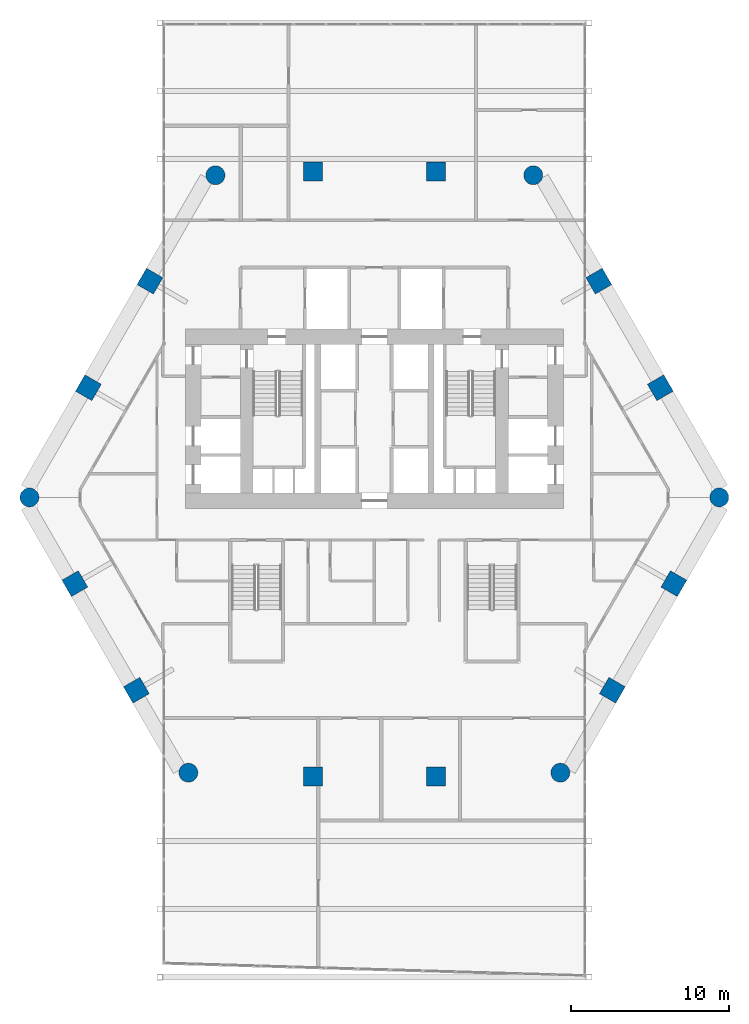
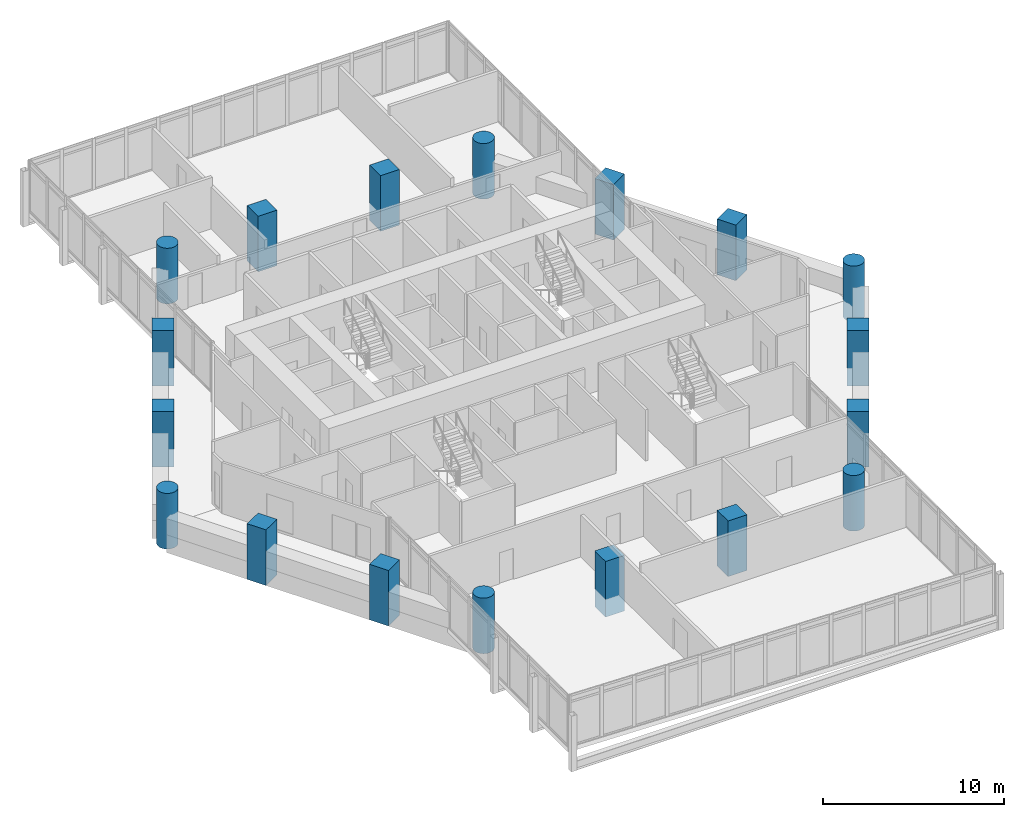
# One storey, part 1 of 28: 18 columns.
"""IFC4 building model written with IfcOpenShell, lengths in metres."""

from ifc_helpers import new_model, si_unit, direction, frame, origin, origin_2d, place, context, subcontext, project, spatial, rectangle, circle, extrude, material, material_profile, profile_set, type_object, element, save


model = new_model("IFC4")

# Units and contexts
model_context = context("Model", 3, precision=1e-05, world=origin(), true_north=direction((0.0, 1.0)))
body_context = subcontext(model_context, "Body", "Model", "MODEL_VIEW")
ifc_project = project(units=[si_unit("LENGTHUNIT", "METRE"), si_unit("AREAUNIT", "SQUARE_METRE"), si_unit("VOLUMEUNIT", "CUBIC_METRE"), si_unit("PLANEANGLEUNIT", "RADIAN"), si_unit("MASSUNIT", "GRAM", prefix="KILO")], contexts=[model_context])

# Site, building, storey
site_placement = place(None, origin())
site = spatial("IfcSite", under=ifc_project, at=site_placement, CompositionType="ELEMENT")
building_placement = place(site_placement, origin())
building = spatial("IfcBuilding", under=site, at=building_placement, Name="Ostrander Bayou Hotel Tower", CompositionType="ELEMENT")
storey_placement = place(building_placement, frame((0.0, 0.0, 134.75)))
storey = spatial("IfcBuildingStorey", under=building, at=storey_placement, Name="L33", CompositionType="ELEMENT", Elevation=134.75)

# Columns
ifc_material_1 = material(Name="Concrete f'c 70 MPa", Category="concrete")
ifc_material_profile_1 = material_profile(ifc_material_1, circle(Radius=0.60009765625, at=origin_2d()))
ifc_profile_set_1 = profile_set([ifc_material_profile_1], Name="Concrete f'c 70 MPa")
column_type_1 = type_object("IfcColumnType", Name="C3 round column 1200 mm f'c 70 MPa", PredefinedType="COLUMN", material=ifc_profile_set_1)
for number, where, z_axis, x_axis, name in (
    (1, (-10.088134765625, 19.458740234375, -1.199951171875), (0.0, 0.0, 1.0), (1.0, 0.0, 0.0), "C3 L33 K0"),
    (2, (-21.89599609375, -0.992919921875, -1.199951171875), (0.0, 0.0, 1.0), (1.0, 0.0, 0.0), "C3 L33 K1"),
    (3, (-11.807861328125, -18.466064453125, -1.199951171875), (0.0, 0.0, 1.0), (1.0, 0.0, 0.0), "C3 L33 K2"),
    (4, (11.807861328125, -18.466064453125, -1.199951171875), (0.0, 0.0, 1.0), (1.0, 0.0, 0.0), "C3 L33 K3"),
    (5, (21.89599609375, -0.992919921875, -1.199951171875), (0.0, 0.0, 1.0), (1.0, 0.0, 0.0), "C3 L33 K4"),
    (6, (10.088134765625, 19.458740234375, -1.199951171875), (0.0, 0.0, 1.0), (1.0, 0.0, 0.0), "C3 L33 K5"),
):
    element("IfcColumn", number, at=place(storey_placement, frame(where, z_axis=z_axis, x_axis=x_axis)), inside=storey, type_object=column_type_1, Name=name, PredefinedType="COLUMN", context=body_context, shape_type="SweptSolid", body=[
        extrude(circle(Radius=0.60009765625, at=origin_2d()), origin(), (0.0, 0.0, 1.0), 3.75),
    ])
ifc_material_2 = material(Name="Concrete f'c 70 MPa", Category="concrete")
ifc_material_profile_2 = material_profile(ifc_material_2, rectangle(XDim=1.199951171875, YDim=1.199951171875, at=origin_2d()))
ifc_profile_set_2 = profile_set([ifc_material_profile_2], Name="Concrete f'c 70 MPa")
column_type_2 = type_object("IfcColumnType", Name="C4 square column 1200 x 1200 mm f'c 70 MPa", PredefinedType="COLUMN", material=ifc_profile_set_2)
for number, where, z_axis, x_axis, name in (
    (7, (3.90673828125, 19.699951171875, -1.199951171875), (0.0, 0.0, 1.0), (1.0, 0.0, 0.0), "C4 L33 N1"),
    (8, (-3.90673828125, 19.699951171875, -1.199951171875), (0.0, 0.0, 1.0), (1.0, 0.0, 0.0), "C4 L33 N2"),
    (9, (-14.24755859375, 12.73681640625, -1.199951171875), (0.0, 0.0, 1.0), (0.5, 0.866025403784, 0.0), "C4 L33 NW1"),
    (10, (-18.154296875, 5.97021484375, -1.199951171875), (0.0, 0.0, 1.0), (0.5, 0.866025403784, 0.0), "C4 L33 NW2"),
    (11, (-19.01416015625, -6.466796875, -1.199951171875), (0.0, 0.0, 1.0), (-0.5, 0.866025403784, 0.0), "C4 L33 SW1"),
    (12, (-15.107421875, -13.2333984375, -1.199951171875), (0.0, 0.0, 1.0), (-0.5, 0.866025403784, 0.0), "C4 L33 SW2"),
    (13, (-3.90673828125, -18.707275390625, -1.199951171875), (0.0, 0.0, 1.0), (-1.0, 0.0, 0.0), "C4 L33 S1"),
    (14, (3.90673828125, -18.707275390625, -1.199951171875), (0.0, 0.0, 1.0), (-1.0, 0.0, 0.0), "C4 L33 S2"),
    (15, (15.107421875, -13.2333984375, -1.199951171875), (0.0, 0.0, 1.0), (-0.5, -0.866025403784, 0.0), "C4 L33 SE1"),
    (16, (19.01416015625, -6.466796875, -1.199951171875), (0.0, 0.0, 1.0), (-0.5, -0.866025403784, 0.0), "C4 L33 SE2"),
    (17, (18.154296875, 5.97021484375, -1.199951171875), (0.0, 0.0, 1.0), (0.5, -0.866025403784, 0.0), "C4 L33 NE1"),
    (18, (14.24755859375, 12.73681640625, -1.199951171875), (0.0, 0.0, 1.0), (0.5, -0.866025403784, 0.0), "C4 L33 NE2"),
):
    element("IfcColumn", number, at=place(storey_placement, frame(where, z_axis=z_axis, x_axis=x_axis)), inside=storey, type_object=column_type_2, Name=name, PredefinedType="COLUMN", context=body_context, shape_type="SweptSolid", body=[
        extrude(rectangle(XDim=1.199951171875, YDim=1.199951171875, at=origin_2d()), origin(), (0.0, 0.0, 1.0), 3.75),
    ])

save(model, "model.ifc")
